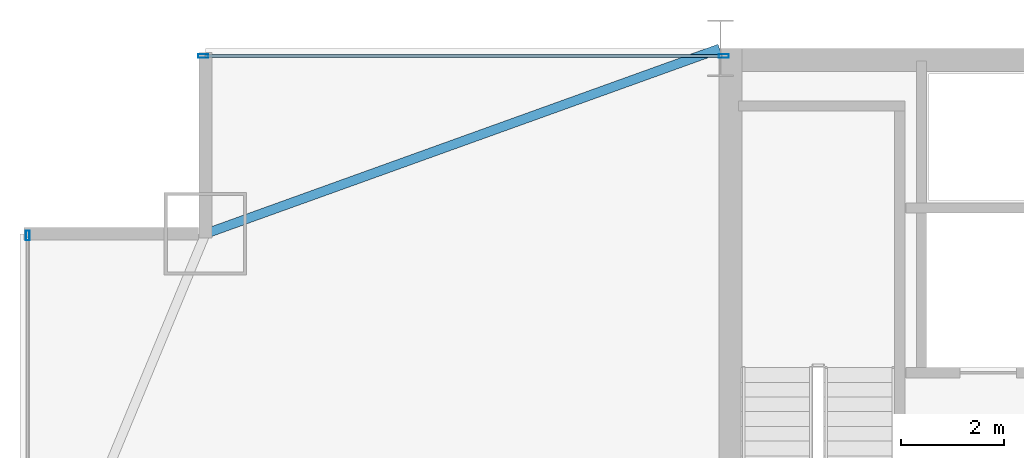
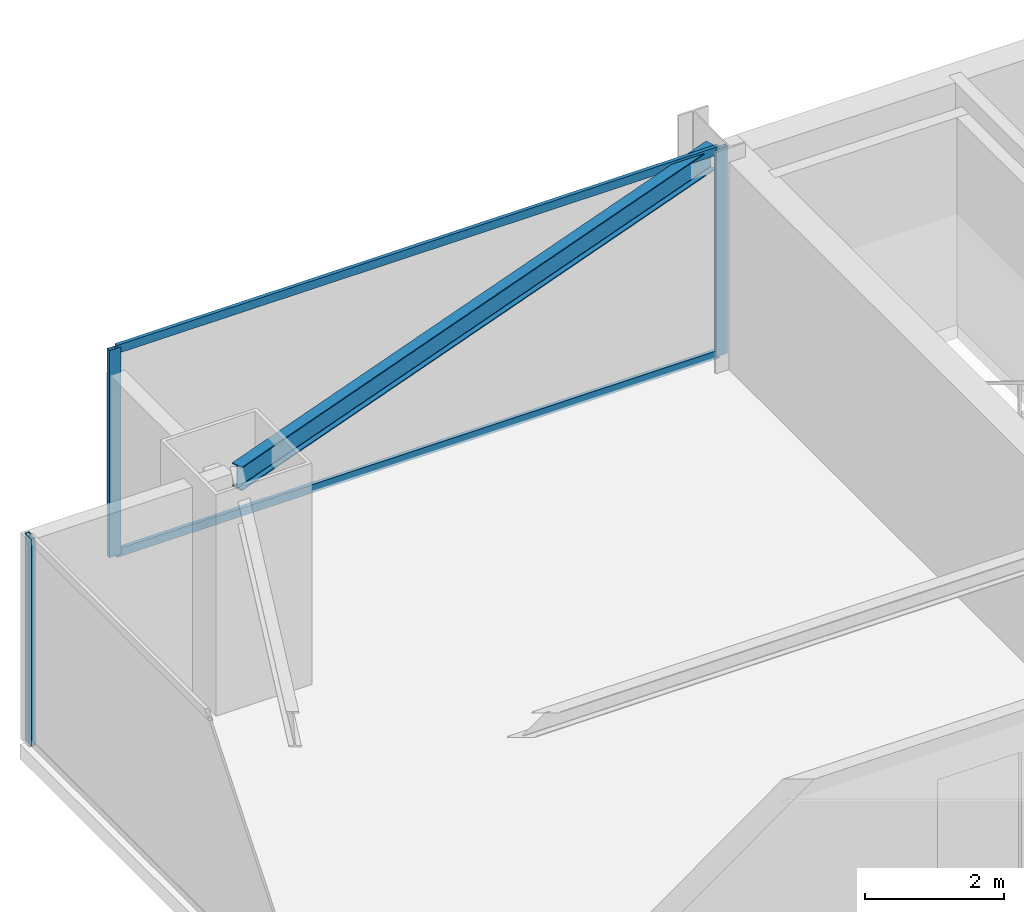
# One storey, part 22 of 35: 5 members, 1 beam, 2 elements without a shape of their own.
"""IFC4 building model written with IfcOpenShell, lengths in metres."""

from ifc_helpers import new_model, si_unit, direction, frame, origin, origin_2d, place, context, subcontext, project, spatial, hollow_rectangle, i_section, extrude, source, transform, mapped, material, layer, layer_set, material_profile, profile_set, type_object, type_shapes, element, aggregate, save


model = new_model("IFC4")

# Units and contexts
model_context = context("Model", 3, precision=1e-05, world=origin(), true_north=direction((0.0, 1.0)))
body_context = subcontext(model_context, "Body", "Model", "MODEL_VIEW")
ifc_project = project(units=[si_unit("LENGTHUNIT", "METRE"), si_unit("AREAUNIT", "SQUARE_METRE"), si_unit("VOLUMEUNIT", "CUBIC_METRE"), si_unit("PLANEANGLEUNIT", "RADIAN"), si_unit("MASSUNIT", "GRAM", prefix="KILO")], contexts=[model_context])

# Site, building, storey
site_placement = place(None, origin())
site = spatial("IfcSite", under=ifc_project, at=site_placement, CompositionType="ELEMENT")
building_placement = place(site_placement, origin())
building = spatial("IfcBuilding", under=site, at=building_placement, Name="Varnel Quay Broadcast Tower", CompositionType="ELEMENT")
storey_placement = place(building_placement, frame((0.0, 0.0, 31.5)))
storey = spatial("IfcBuildingStorey", under=building, at=storey_placement, Name="L06", CompositionType="ELEMENT", Elevation=31.5)

# Beam
ifc_material_1 = material(Name="Structural Steel CSA G40.21 350W", Category="steel")
ifc_material_profile_1 = material_profile(ifc_material_1, i_section(OverallWidth=0.180908203125, OverallDepth=0.4169921875, WebThickness=0.010986328125, FlangeThickness=0.018310546875, FilletRadius=0.011962890625, at=origin_2d()), Name="W410X85")
ifc_profile_set_1 = profile_set([ifc_material_profile_1], Name="Structural Steel CSA G40.21 350W")
beam_type = type_object("IfcBeamType", Name="Beam_W410X85", PredefinedType="SPANDREL", material=ifc_profile_set_1)
shared_shape_1 = source(origin(), body_context, "Body", "SweptSolid", [
    extrude(i_section(OverallWidth=0.180908203125, OverallDepth=0.4169921875, WebThickness=0.010986328125, FlangeThickness=0.018310546875, FilletRadius=0.011962890625, at=origin_2d()), origin(), (0.0, 0.0, 1.0), 10.58837890625),
])
type_shapes(beam_type, [shared_shape_1])
beam_placement = place(storey_placement, frame((5.618896484375, 43.206787109375, 3.44140625), z_axis=(0.940888587605, 0.338716202321, 0.0), x_axis=(-0.338716202321, 0.940888587605, 0.0)))
element("IfcBeam", 1, at=beam_placement, inside=storey, type_object=beam_type, Name="L06 NW Tie Spandrel", PredefinedType="SPANDREL", context=body_context, shape_type="MappedRepresentation", body=[
    mapped(shared_shape_1, transform((0.0, 0.0, 0.0), x_axis=(1.0, 0.0, 0.0), y_axis=(0.0, 1.0, 0.0), z_axis=(0.0, 0.0, 1.0), scale=1.0)),
])

# Curtain wall, member
ifc_material_2 = material(Name="Anodised Bronze Aluminium 6063-T6", Category="aluminium")
ifc_layer = layer(ifc_material_2, 0.18994140625, Name="Anodised Bronze Aluminium 6063-T6")
ifc_layer_set = layer_set([ifc_layer], Name="Anodised Bronze Aluminium 6063-T6")
curtain_wall_type = type_object("IfcCurtainWallType", Name="CW_LowerTower", PredefinedType="NOTDEFINED", material=ifc_layer_set)
curtain_wall_1_placement = place(storey_placement, origin())
curtain_wall_1 = element("IfcCurtainWall", 2, at=curtain_wall_1_placement, inside=storey, type_object=curtain_wall_type, Name="L06 West Unitised Curtain Wall", PredefinedType="NOTDEFINED")
ifc_material_profile_2 = material_profile(ifc_material_2, hollow_rectangle(XDim=0.070068359375, YDim=0.18994140625, WallThickness=0.00390625, at=origin_2d()), Name="ALU70X190X4")
ifc_profile_set_2 = profile_set([ifc_material_profile_2], Name="Anodised Bronze Aluminium 6063-T6")
member_type_1 = type_object("IfcMemberType", Name="Mull_CWS-02", PredefinedType="MULLION", material=ifc_profile_set_2)
shared_shape_2 = source(origin(), body_context, "Body", "SweptSolid", [
    extrude(hollow_rectangle(XDim=0.070068359375, YDim=0.18994140625, WallThickness=0.00390625, at=origin_2d()), origin(), (0.0, 0.0, 1.0), 3.64990234375),
])
type_shapes(member_type_1, [shared_shape_2])
member_1_placement = place(storey_placement, frame((2.14990234375, 43.1650390625, 0.0), z_axis=(0.0, 0.0, 1.0), x_axis=(-1.0, 0.0, 0.0)))
member_1 = element("IfcMember", 3, at=member_1_placement, type_object=member_type_1, Name="CWS-02 mullion 4", PredefinedType="MULLION", context=body_context, shape_type="MappedRepresentation", body=[
    mapped(shared_shape_2, transform((0.0, 0.0, 0.0), x_axis=(1.0, 0.0, 0.0), y_axis=(0.0, 1.0, 0.0), z_axis=(0.0, 0.0, 1.0), scale=1.0)),
])
aggregate(curtain_wall_1, [member_1])

# Curtain wall, members
curtain_wall_2_placement = place(storey_placement, origin())
curtain_wall_2 = element("IfcCurtainWall", 4, at=curtain_wall_2_placement, inside=storey, type_object=curtain_wall_type, Name="L06 NW Wing Curtain Wall", PredefinedType="NOTDEFINED")
member_2_placement = place(storey_placement, frame((5.554931640625, 46.64990234375, 0.0), z_axis=(0.0, 0.0, 1.0), x_axis=(0.0, 1.0, 0.0)))
member_2 = element("IfcMember", 5, at=member_2_placement, type_object=member_type_1, Name="CWS-02 mullion 1", PredefinedType="MULLION", context=body_context, shape_type="MappedRepresentation", body=[
    mapped(shared_shape_2, transform((0.0, 0.0, 0.0), x_axis=(1.0, 0.0, 0.0), y_axis=(0.0, 1.0, 0.0), z_axis=(0.0, 0.0, 1.0), scale=1.0)),
])
member_3_placement = place(storey_placement, frame((15.6650390625, 46.64990234375, 0.0), z_axis=(0.0, 0.0, 1.0), x_axis=(0.0, 1.0, 0.0)))
member_3 = element("IfcMember", 6, at=member_3_placement, type_object=member_type_1, Name="CWS-02 mullion 2", PredefinedType="MULLION", context=body_context, shape_type="MappedRepresentation", body=[
    mapped(shared_shape_2, transform((0.0, 0.0, 0.0), x_axis=(1.0, 0.0, 0.0), y_axis=(0.0, 1.0, 0.0), z_axis=(0.0, 0.0, 1.0), scale=1.0)),
])
ifc_material_profile_3 = material_profile(ifc_material_2, hollow_rectangle(XDim=0.06005859375, YDim=0.14501953125, WallThickness=0.00341796875, at=origin_2d()), Name="ALU60X145X3.5")
ifc_profile_set_3 = profile_set([ifc_material_profile_3], Name="Anodised Bronze Aluminium 6063-T6")
member_type_2 = type_object("IfcMemberType", Name="Tran_CWS-02", PredefinedType="USERDEFINED", material=ifc_profile_set_3)
shared_shape_3 = source(origin(), body_context, "Body", "SweptSolid", [
    extrude(hollow_rectangle(XDim=0.06005859375, YDim=0.14501953125, WallThickness=0.00341796875, at=origin_2d()), origin(), (0.0, 0.0, 1.0), 10.039794921875),
])
type_shapes(member_type_2, [shared_shape_3])
member_4_placement = place(storey_placement, frame((5.590087890625, 46.64990234375, 0.030029296875), z_axis=(1.0, 0.0, 0.0), x_axis=(0.0, 1.0, 0.0)))
member_4 = element("IfcMember", 7, at=member_4_placement, type_object=member_type_2, Name="CWS-02 transom 1.1", ObjectType="TRANSOM", PredefinedType="USERDEFINED", context=body_context, shape_type="MappedRepresentation", body=[
    mapped(shared_shape_3, transform((0.0, 0.0, 0.0), x_axis=(1.0, 0.0, 0.0), y_axis=(0.0, 1.0, 0.0), z_axis=(0.0, 0.0, 1.0), scale=1.0)),
])
member_5_placement = place(storey_placement, frame((5.590087890625, 46.64990234375, 3.6201171875), z_axis=(1.0, 0.0, 0.0), x_axis=(0.0, 1.0, 0.0)))
member_5 = element("IfcMember", 8, at=member_5_placement, type_object=member_type_2, Name="CWS-02 transom 1.2", ObjectType="TRANSOM", PredefinedType="USERDEFINED", context=body_context, shape_type="MappedRepresentation", body=[
    mapped(shared_shape_3, transform((0.0, 0.0, 0.0), x_axis=(1.0, 0.0, 0.0), y_axis=(0.0, 1.0, 0.0), z_axis=(0.0, 0.0, 1.0), scale=1.0)),
])
aggregate(curtain_wall_2, [member_2, member_3, member_4, member_5])

save(model, "model.ifc")
